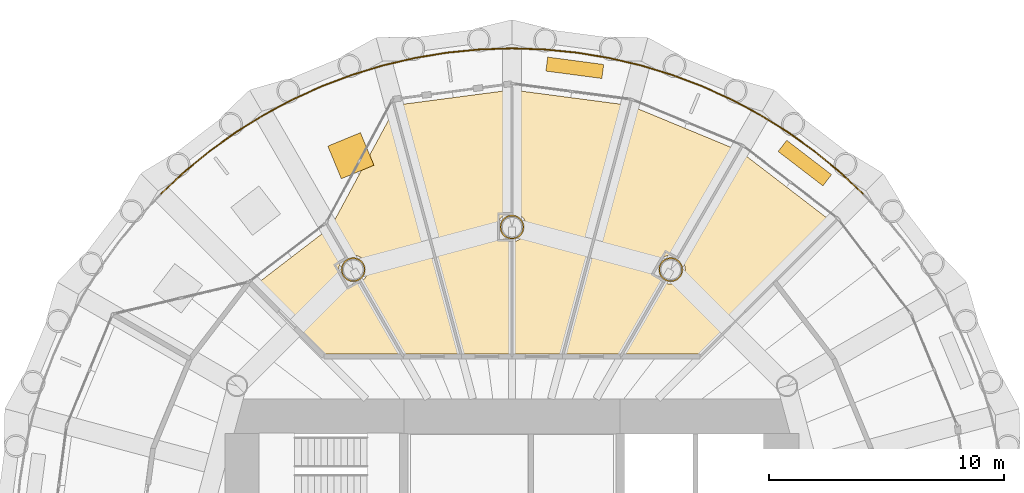
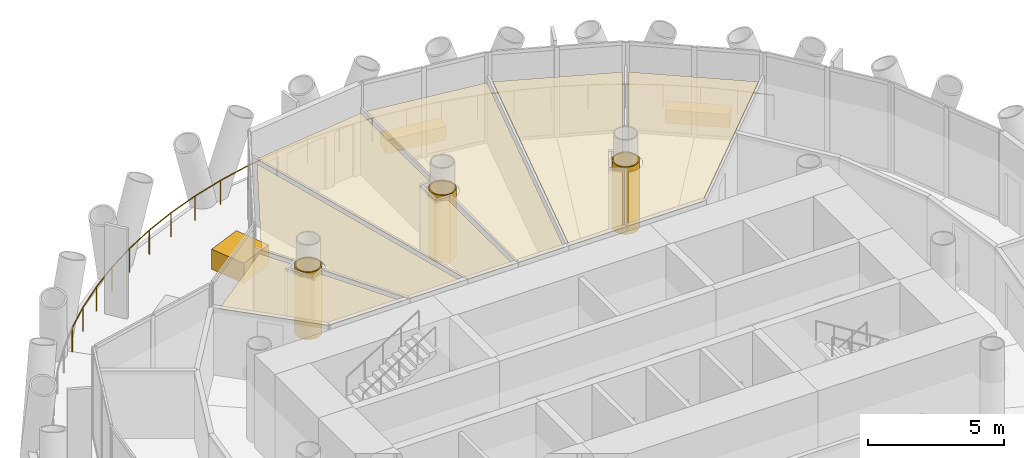
# One storey, part 14 of 14: 12 coverings, 1 railing.
"""IFC4 building model written with IfcOpenShell, lengths in metres."""

import ifcopenshell
import ifcopenshell.guid

model = None  # the IFC model being written
_history = None  # IfcOwnerHistory: only IFC2X3 demands one
_inside = {}  # id of a spatial element -> (the spatial element, [elements in it])
_under = {}  # id of a project, library or spatial element -> (it, [spatial elements below it])
_declared = {}  # id of a project -> (the project, [libraries it declares])
_typed = {}  # id of a type object -> (the type object, [elements of that type])
_made_of = {}  # id of a material, layer set ... -> (it, [elements and type objects made of it])


def new_model(schema):
    """Start an empty IFC model of exactly this schema.

    Asked for "IFC4X3", IfcOpenShell would pick the latest addendum, in which some entities
    have other attributes; the version numbers below select the first issue.
    IFC2X3 requires an IfcOwnerHistory on every rooted entity: one is made here for all.
    """
    global model, _history
    if schema == "IFC4X3":
        model = ifcopenshell.file(schema_version=(4, 3, 0, 0))
    else:
        model = ifcopenshell.file(schema=schema)
    _inside.clear()
    _under.clear()
    _declared.clear()
    _typed.clear()
    _made_of.clear()
    _history = None
    if model.schema == "IFC2X3":
        org = make("IfcOrganization", Name="unknown")
        user = make(
            "IfcPersonAndOrganization",
            ThePerson=make("IfcPerson", FamilyName="unknown"),
            TheOrganization=org,
        )
        app = make(
            "IfcApplication",
            ApplicationDeveloper=org,
            Version="unknown",
            ApplicationFullName="unknown",
            ApplicationIdentifier="unknown",
        )
        _history = make(
            "IfcOwnerHistory",
            OwningUser=user,
            OwningApplication=app,
            ChangeAction="ADDED",
            CreationDate=0,
        )
    return model


def make(cls, **values):
    """One entity of the class cls with the attributes given. An attribute that is None is left unset."""
    return model.create_entity(
        cls, **{name: value for name, value in values.items() if value is not None}
    )


def rooted(cls, **values):
    """An entity with a GlobalId (a new one), such as an element, a storey or a relation."""
    return make(cls, GlobalId=ifcopenshell.guid.new(), OwnerHistory=_history, **values)


def si_unit(unit_type, name, prefix=None):
    """IfcSIUnit, for example si_unit("LENGTHUNIT", "METRE", prefix="MILLI")."""
    return make("IfcSIUnit", UnitType=unit_type, Prefix=prefix, Name=name)


def assignment(units):
    """IfcUnitAssignment: the units of a project."""
    return None if units is None else make("IfcUnitAssignment", Units=units)


def point(xyz):
    """IfcCartesianPoint."""
    return None if xyz is None else make("IfcCartesianPoint", Coordinates=xyz)


def direction(xyz):
    """IfcDirection."""
    return None if xyz is None else make("IfcDirection", DirectionRatios=xyz)


def frame(location, z_axis=None, x_axis=None):
    """IfcAxis2Placement3D, a coordinate frame: its origin and axes. An axis left out is left unset."""
    return make(
        "IfcAxis2Placement3D",
        Location=point(location),
        Axis=direction(z_axis),
        RefDirection=direction(x_axis),
    )


def frame_2d(location, x_axis=None):
    """IfcAxis2Placement2D, a coordinate frame in the plane: its origin and x axis."""
    return make(
        "IfcAxis2Placement2D", Location=point(location), RefDirection=direction(x_axis)
    )


def origin():
    """The frame at (0, 0, 0) with its axes left unset."""
    return frame((0.0, 0.0, 0.0))


def origin_2d():
    """The frame at (0, 0) in the plane with its x axis left unset."""
    return frame_2d((0.0, 0.0))


def place(relative_to, where):
    """IfcLocalPlacement: puts the frame where relative to a parent placement (None: the world)."""
    return make(
        "IfcLocalPlacement", PlacementRelTo=relative_to, RelativePlacement=where
    )


def context(
    kind, dimensions, precision=None, world=None, true_north=None, identifier=None
):
    """IfcGeometricRepresentationContext, for example the 3D "Model" context."""
    return make(
        "IfcGeometricRepresentationContext",
        ContextIdentifier=identifier,
        ContextType=kind,
        CoordinateSpaceDimension=dimensions,
        Precision=precision,
        WorldCoordinateSystem=world,
        TrueNorth=true_north,
    )


def subcontext(parent, identifier, kind, view, scale=None):
    """IfcGeometricRepresentationSubContext, for example "Body" below "Model"."""
    return make(
        "IfcGeometricRepresentationSubContext",
        ContextIdentifier=identifier,
        ContextType=kind,
        ParentContext=parent,
        TargetScale=scale,
        TargetView=view,
    )


def project(units=None, contexts=None):
    """IfcProject with its units and contexts."""
    return rooted(
        "IfcProject",
        Name="project",
        RepresentationContexts=contexts,
        UnitsInContext=assignment(units),
    )


def spatial(cls, under=None, at=None, **own):
    """A site, building, storey or space (cls), placed at a placement, below another one or the project."""
    s = rooted(cls, ObjectPlacement=at, **own)
    if under is not None:
        _under.setdefault(under.id(), (under, []))[1].append(s)
    return s


def polyline(points):
    """IfcPolyline through the points."""
    return make("IfcPolyline", Points=[point(p) for p in points])


def profile(cls, at=None, kind="AREA", **sizes):
    """A parametric profile (cls). Its sizes go by their IFC names, for example OverallWidth=200.0."""
    return make(cls, ProfileType=kind, Position=at, **sizes)


def rectangle(**sizes):
    """IfcRectangleProfileDef."""
    return profile("IfcRectangleProfileDef", **sizes)


def circle(**sizes):
    """IfcCircleProfileDef."""
    return profile("IfcCircleProfileDef", **sizes)


def outline(outer, holes=None, kind="AREA"):
    """IfcArbitraryClosedProfileDef: a profile drawn as a closed curve; with holes, ...WithVoids."""
    if holes is None:
        return make("IfcArbitraryClosedProfileDef", ProfileType=kind, OuterCurve=outer)
    return make(
        "IfcArbitraryProfileDefWithVoids",
        ProfileType=kind,
        OuterCurve=outer,
        InnerCurves=holes,
    )


def extrude(swept, where, along, depth):
    """IfcExtrudedAreaSolid: the profile swept, set in the frame where, extruded along a direction by depth."""
    return make(
        "IfcExtrudedAreaSolid",
        SweptArea=swept,
        Position=where,
        ExtrudedDirection=direction(along),
        Depth=depth,
    )


def shape(context_of_items, identifier, shape_type, items):
    """IfcShapeRepresentation: the items that make up one representation, for example the "Body"."""
    return make(
        "IfcShapeRepresentation",
        ContextOfItems=context_of_items,
        RepresentationIdentifier=identifier,
        RepresentationType=shape_type,
        Items=items,
    )


def material(Name=None, Category=None):
    """IfcMaterial."""
    return make("IfcMaterial", Name=Name, Category=Category)


def layer(
    of_material, thickness, ventilated=None, Name=None, Category=None, Priority=None
):
    """IfcMaterialLayer: one layer of a wall or slab, of a material (None: an air gap)."""
    return make(
        "IfcMaterialLayer",
        Material=of_material,
        LayerThickness=thickness,
        IsVentilated=ventilated,
        Name=Name,
        Category=Category,
        Priority=Priority,
    )


def layer_set(layers, Name=None):
    """IfcMaterialLayerSet."""
    return make("IfcMaterialLayerSet", MaterialLayers=layers, LayerSetName=Name)


def made_of(thing, what):
    """Note that an element or type object is made of a material, layer set ...; save() writes the relation."""
    if what is not None:
        _made_of.setdefault(what.id(), (what, []))[1].append(thing)
    return thing


def type_object(cls, material=None, **own):
    """A type object (cls), such as IfcWallType, which elements share."""
    return made_of(rooted(cls, **own), material)


def element(
    cls,
    number,
    at=None,
    inside=None,
    cuts=None,
    type_object=None,
    material=None,
    context=None,
    identifier="Body",
    shape_type=None,
    held_by="IfcProductDefinitionShape",
    body=None,
    shapes=None,
    **own,
):
    """One element of the class cls, such as IfcWall. Its Tag is "e" and its number.

    at: its placement. inside: the storey or other place that contains it. cuts: it is an
    opening in that element (IfcRelVoidsElement). A single representation is given by context,
    identifier, shape_type and body (its items); several are given by shapes. held_by: the class
    of the entity that holds the representations. save() writes the other relations.
    """
    e = rooted(cls, Tag="e%d" % number, ObjectPlacement=at, **own)
    if body is not None:
        shapes = [shape(context, identifier, shape_type, body)]
    if shapes is not None:
        e.Representation = make(held_by, Representations=shapes)
    if inside is not None:
        _inside.setdefault(inside.id(), (inside, []))[1].append(e)
    if cuts is not None:
        rooted(
            "IfcRelVoidsElement", RelatingBuildingElement=cuts, RelatedOpeningElement=e
        )
    if type_object is not None:
        _typed.setdefault(type_object.id(), (type_object, []))[1].append(e)
    return made_of(e, material)


def aggregate(whole, parts):
    """IfcRelAggregates: a whole, such as a stair, and the parts it consists of."""
    return rooted("IfcRelAggregates", RelatingObject=whole, RelatedObjects=parts)


def save(model, path):
    """Write the relations noted so far, then the file.

    IfcRelAggregates (storeys below a building ...), IfcRelContainedInSpatialStructure (elements
    in a storey), IfcRelDefinesByType, IfcRelAssociatesMaterial and IfcRelDeclares: one each for
    every whole, place, type object, material and project.
    """
    for whole, parts in _under.values():
        aggregate(whole, parts)
    for where, things in _inside.values():
        rooted(
            "IfcRelContainedInSpatialStructure",
            RelatedElements=things,
            RelatingStructure=where,
        )
    for kind, things in _typed.values():
        rooted("IfcRelDefinesByType", RelatedObjects=things, RelatingType=kind)
    for what, things in _made_of.values():
        rooted("IfcRelAssociatesMaterial", RelatedObjects=things, RelatingMaterial=what)
    for by, libraries in _declared.values():
        rooted("IfcRelDeclares", RelatingContext=by, RelatedDefinitions=libraries)
    model.write(path)


model = new_model("IFC4")

# Units and contexts
model_context = context("Model", 3, precision=1e-05, world=origin(), true_north=direction((0.0, 1.0)))
body_context = subcontext(model_context, "Body", "Model", "MODEL_VIEW")
ifc_project = project(units=[si_unit("LENGTHUNIT", "METRE"), si_unit("AREAUNIT", "SQUARE_METRE"), si_unit("VOLUMEUNIT", "CUBIC_METRE"), si_unit("PLANEANGLEUNIT", "RADIAN"), si_unit("MASSUNIT", "GRAM", prefix="KILO")], contexts=[model_context])

# Site, building, storey
site_placement = place(None, origin())
site = spatial("IfcSite", under=ifc_project, at=site_placement, CompositionType="ELEMENT")
building_placement = place(site_placement, origin())
building = spatial("IfcBuilding", under=site, at=building_placement, Name="Qaws Media Tower", CompositionType="ELEMENT")
storey_placement = place(building_placement, frame((0.0, 0.0, 261.199951171875)))
storey = spatial("IfcBuildingStorey", under=building, at=storey_placement, Name="L60", CompositionType="ELEMENT", Elevation=261.199951171875)

# Railing
ifc_material_1 = material(Name="Stainless steel and glass guard", Category="steel")
railing_type = type_object("IfcRailingType", Name="Balcony guard 1100", PredefinedType="GUARDRAIL", material=ifc_material_1)
railing_placement = place(storey_placement, frame((74.919921875, 64.919921875, 0.0)))
element("IfcRailing", 1, at=railing_placement, inside=storey, type_object=railing_type, Name="GR1 balcony guard L60-1", PredefinedType="GUARDRAIL", context=body_context, shape_type="SweptSolid", body=[
    extrude(circle(Radius=0.02392578125, at=origin_2d()), frame((0.0, 0.0, 1.076171875), z_axis=(-0.72989000071, 0.683564617913, 0.0), x_axis=(-0.683564617913, -0.72989000071, 0.0)), (0.0, 0.0, 1.0), 1.380859375),
    extrude(circle(Radius=0.02392578125, at=origin_2d()), frame((-1.0078125, 0.94384765625, 1.076171875), z_axis=(-0.772939946456, 0.634479187344, 0.0), x_axis=(-0.634479187344, -0.772939946456, 0.0)), (0.0, 0.0, 1.0), 1.380615234375),
    extrude(circle(Radius=0.02392578125, at=origin_2d()), frame((-2.074951171875, 1.81982421875, 1.076171875), z_axis=(-0.812920358232, 0.582374871687, 0.0), x_axis=(-0.582374871687, -0.812920358232, 0.0)), (0.0, 0.0, 1.0), 1.380859375),
    extrude(circle(Radius=0.02392578125, at=origin_2d()), frame((-3.197509765625, 2.6240234375, 1.076171875), z_axis=(-0.849128863091, 0.528185738037, 0.0), x_axis=(-0.528185738037, -0.849128863091, 0.0)), (0.0, 0.0, 1.0), 1.380615234375),
    extrude(circle(Radius=0.02392578125, at=origin_2d()), frame((-4.369873046875, 3.353271484375, 1.076171875), z_axis=(-0.881931668673, 0.471377271187, 0.0), x_axis=(-0.471377271187, -0.881931668673, 0.0)), (0.0, 0.0, 1.0), 1.380859375),
    extrude(circle(Radius=0.02392578125, at=origin_2d()), frame((-5.587646484375, 4.004150390625, 1.076171875), z_axis=(-0.91085636213, 0.412723500138, 0.0), x_axis=(-0.412723500138, -0.91085636213, 0.0)), (0.0, 0.0, 1.0), 1.380615234375),
    extrude(circle(Radius=0.02392578125, at=origin_2d()), frame((-6.84521484375, 4.573974609375, 1.076171875), z_axis=(-0.935914328619, 0.352227723901, 0.0), x_axis=(-0.352227723901, -0.935914328619, 0.0)), (0.0, 0.0, 1.0), 1.380615234375),
    extrude(circle(Radius=0.02392578125, at=origin_2d()), frame((-8.137451171875, 5.060302734375, 1.076171875), z_axis=(-0.956926201336, 0.290331268033, 0.0), x_axis=(-0.290331268033, -0.956926201336, 0.0)), (0.0, 0.0, 1.0), 1.380859375),
    extrude(circle(Radius=0.02392578125, at=origin_2d()), frame((-9.458740234375, 5.461181640625, 1.076171875), z_axis=(-0.973888140453, 0.22702839004, 0.0), x_axis=(-0.22702839004, -0.973888140453, 0.0)), (0.0, 0.0, 1.0), 1.380859375),
    extrude(circle(Radius=0.02392578125, at=origin_2d()), frame((-10.803466796875, 5.774658203125, 1.076171875), z_axis=(-0.986650768942, 0.162850422616, 0.0), x_axis=(-0.162850422616, -0.986650768942, 0.0)), (0.0, 0.0, 1.0), 1.380615234375),
    extrude(circle(Radius=0.02392578125, at=origin_2d()), frame((-12.165771484375, 5.99951171875, 1.076171875), z_axis=(-0.995172811308, 0.098138043759, 0.0), x_axis=(-0.098138043759, -0.995172811308, 0.0)), (0.0, 0.0, 1.0), 1.380615234375),
    extrude(circle(Radius=0.02392578125, at=origin_2d()), frame((-13.539794921875, 6.135009765625, 1.076171875), z_axis=(-0.999464934663, 0.032708475661, 0.0), x_axis=(-0.032708475661, -0.999464934663, 0.0)), (0.0, 0.0, 1.0), 1.380859375),
    extrude(circle(Radius=0.02392578125, at=origin_2d()), frame((-14.919921875, 6.18017578125, 1.076171875), z_axis=(-0.999464934663, -0.032708475661, 0.0), x_axis=(0.032708475661, -0.999464934663, 0.0)), (0.0, 0.0, 1.0), 1.380859375),
    extrude(circle(Radius=0.02392578125, at=origin_2d()), frame((-16.300048828125, 6.135009765625, 1.076171875), z_axis=(-0.995172811308, -0.098138043759, 0.0), x_axis=(0.098138043759, -0.995172811308, 0.0)), (0.0, 0.0, 1.0), 1.380615234375),
    extrude(circle(Radius=0.02392578125, at=origin_2d()), frame((-17.674072265625, 5.99951171875, 1.076171875), z_axis=(-0.986650768942, -0.162850422616, 0.0), x_axis=(0.162850422616, -0.986650768942, 0.0)), (0.0, 0.0, 1.0), 1.380615234375),
    extrude(circle(Radius=0.02392578125, at=origin_2d()), frame((-19.036376953125, 5.774658203125, 1.076171875), z_axis=(-0.973888140453, -0.22702839004, 0.0), x_axis=(0.22702839004, -0.973888140453, 0.0)), (0.0, 0.0, 1.0), 1.380859375),
    extrude(circle(Radius=0.02392578125, at=origin_2d()), frame((-20.381103515625, 5.461181640625, 1.076171875), z_axis=(-0.956926201336, -0.290331268033, 0.0), x_axis=(0.290331268033, -0.956926201336, 0.0)), (0.0, 0.0, 1.0), 1.380859375),
    extrude(circle(Radius=0.02392578125, at=origin_2d()), frame((-21.702392578125, 5.060302734375, 1.076171875), z_axis=(-0.935914328619, -0.352227723901, 0.0), x_axis=(0.352227723901, -0.935914328619, 0.0)), (0.0, 0.0, 1.0), 1.380615234375),
    extrude(circle(Radius=0.02392578125, at=origin_2d()), frame((-22.99462890625, 4.573974609375, 1.076171875), z_axis=(-0.91085636213, -0.412723500138, 0.0), x_axis=(0.412723500138, -0.91085636213, 0.0)), (0.0, 0.0, 1.0), 1.380615234375),
    extrude(circle(Radius=0.02392578125, at=origin_2d()), frame((-24.252197265625, 4.004150390625, 1.076171875), z_axis=(-0.881931668673, -0.471377271187, 0.0), x_axis=(0.471377271187, -0.881931668673, 0.0)), (0.0, 0.0, 1.0), 1.380859375),
    extrude(circle(Radius=0.02392578125, at=origin_2d()), frame((-25.469970703125, 3.353271484375, 1.076171875), z_axis=(-0.849128863091, -0.528185738037, 0.0), x_axis=(0.528185738037, -0.849128863091, 0.0)), (0.0, 0.0, 1.0), 1.380615234375),
    extrude(circle(Radius=0.02392578125, at=origin_2d()), frame((-26.642333984375, 2.6240234375, 1.076171875), z_axis=(-0.812920358232, -0.582374871687, 0.0), x_axis=(0.582374871687, -0.812920358232, 0.0)), (0.0, 0.0, 1.0), 1.380859375),
    extrude(circle(Radius=0.02392578125, at=origin_2d()), frame((-27.764892578125, 1.81982421875, 1.076171875), z_axis=(-0.772939946456, -0.634479187344, 0.0), x_axis=(0.634479187344, -0.772939946456, 0.0)), (0.0, 0.0, 1.0), 1.380615234375),
    extrude(circle(Radius=0.02392578125, at=origin_2d()), frame((-28.83203125, 0.94384765625, 1.076171875), z_axis=(-0.72989000071, -0.683564617913, 0.0), x_axis=(0.683564617913, -0.72989000071, 0.0)), (0.0, 0.0, 1.0), 1.380859375),
    extrude(circle(Radius=0.02099609375, at=origin_2d()), origin(), (0.0, 0.0, 1.0), 1.052001953125),
    extrude(circle(Radius=0.02099609375, at=origin_2d()), frame((-1.0078125, 0.94384765625, 0.0)), (0.0, 0.0, 1.0), 1.052001953125),
    extrude(circle(Radius=0.02099609375, at=origin_2d()), frame((-2.074951171875, 1.81982421875, 0.0)), (0.0, 0.0, 1.0), 1.052001953125),
    extrude(circle(Radius=0.02099609375, at=origin_2d()), frame((-3.197509765625, 2.6240234375, 0.0)), (0.0, 0.0, 1.0), 1.052001953125),
    extrude(circle(Radius=0.02099609375, at=origin_2d()), frame((-4.369873046875, 3.353271484375, 0.0)), (0.0, 0.0, 1.0), 1.052001953125),
    extrude(circle(Radius=0.02099609375, at=origin_2d()), frame((-5.587646484375, 4.004150390625, 0.0)), (0.0, 0.0, 1.0), 1.052001953125),
    extrude(circle(Radius=0.02099609375, at=origin_2d()), frame((-6.84521484375, 4.573974609375, 0.0)), (0.0, 0.0, 1.0), 1.052001953125),
    extrude(circle(Radius=0.02099609375, at=origin_2d()), frame((-8.137451171875, 5.060302734375, 0.0)), (0.0, 0.0, 1.0), 1.052001953125),
    extrude(circle(Radius=0.02099609375, at=origin_2d()), frame((-9.458740234375, 5.461181640625, 0.0)), (0.0, 0.0, 1.0), 1.052001953125),
    extrude(circle(Radius=0.02099609375, at=origin_2d()), frame((-10.803466796875, 5.774658203125, 0.0)), (0.0, 0.0, 1.0), 1.052001953125),
    extrude(circle(Radius=0.02099609375, at=origin_2d()), frame((-12.165771484375, 5.99951171875, 0.0)), (0.0, 0.0, 1.0), 1.052001953125),
    extrude(circle(Radius=0.02099609375, at=origin_2d()), frame((-13.539794921875, 6.135009765625, 0.0)), (0.0, 0.0, 1.0), 1.052001953125),
    extrude(circle(Radius=0.02099609375, at=origin_2d()), frame((-14.919921875, 6.18017578125, 0.0)), (0.0, 0.0, 1.0), 1.052001953125),
    extrude(circle(Radius=0.02099609375, at=origin_2d()), frame((-16.300048828125, 6.135009765625, 0.0)), (0.0, 0.0, 1.0), 1.052001953125),
    extrude(circle(Radius=0.02099609375, at=origin_2d()), frame((-17.674072265625, 5.99951171875, 0.0)), (0.0, 0.0, 1.0), 1.052001953125),
    extrude(circle(Radius=0.02099609375, at=origin_2d()), frame((-19.036376953125, 5.774658203125, 0.0)), (0.0, 0.0, 1.0), 1.052001953125),
    extrude(circle(Radius=0.02099609375, at=origin_2d()), frame((-20.381103515625, 5.461181640625, 0.0)), (0.0, 0.0, 1.0), 1.052001953125),
    extrude(circle(Radius=0.02099609375, at=origin_2d()), frame((-21.702392578125, 5.060302734375, 0.0)), (0.0, 0.0, 1.0), 1.052001953125),
    extrude(circle(Radius=0.02099609375, at=origin_2d()), frame((-22.99462890625, 4.573974609375, 0.0)), (0.0, 0.0, 1.0), 1.052001953125),
    extrude(circle(Radius=0.02099609375, at=origin_2d()), frame((-24.252197265625, 4.004150390625, 0.0)), (0.0, 0.0, 1.0), 1.052001953125),
    extrude(circle(Radius=0.02099609375, at=origin_2d()), frame((-25.469970703125, 3.353271484375, 0.0)), (0.0, 0.0, 1.0), 1.052001953125),
    extrude(circle(Radius=0.02099609375, at=origin_2d()), frame((-26.642333984375, 2.6240234375, 0.0)), (0.0, 0.0, 1.0), 1.052001953125),
    extrude(circle(Radius=0.02099609375, at=origin_2d()), frame((-27.764892578125, 1.81982421875, 0.0)), (0.0, 0.0, 1.0), 1.052001953125),
    extrude(circle(Radius=0.02099609375, at=origin_2d()), frame((-28.83203125, 0.94384765625, 0.0)), (0.0, 0.0, 1.0), 1.052001953125),
    extrude(circle(Radius=0.02099609375, at=origin_2d()), frame((-29.83984375, 0.0, 0.0)), (0.0, 0.0, 1.0), 1.052001953125),
])

# Coverings
ifc_material_2 = material(Name="Two layers 15 fire-rated gypsum board on steel framing", Category="steel")
ifc_layer_1 = layer(ifc_material_2, 0.050048828125)
ifc_layer_set_1 = layer_set([ifc_layer_1], Name="Column fire casing")
covering_type_1 = type_object("IfcCoveringType", Name="Column fire casing", PredefinedType="CLADDING", material=ifc_layer_set_1)
covering_1_placement = place(storey_placement, origin())
element("IfcCovering", 2, at=covering_1_placement, inside=storey, type_object=covering_type_1, Name="CC1 column casing L60", PredefinedType="CLADDING", context=body_context, shape_type="SweptSolid", body=[
    extrude(outline(polyline([(67.261962890625, 61.69140625), (67.257568359375, 61.62451171875), (67.24462890625, 61.558837890625), (67.222900390625, 61.495361328125), (67.193359375, 61.435302734375), (67.15625, 61.379638671875), (67.112060546875, 61.329345703125), (67.061767578125, 61.28515625), (67.006103515625, 61.247802734375), (66.94580078125, 61.21826171875), (66.882568359375, 61.19677734375), (66.81689453125, 61.18359375), (66.75, 61.17919921875), (66.68310546875, 61.18359375), (66.617431640625, 61.19677734375), (66.55419921875, 61.21826171875), (66.493896484375, 61.247802734375), (66.438232421875, 61.28515625), (66.387939453125, 61.329345703125), (66.34375, 61.379638671875), (66.306640625, 61.435302734375), (66.277099609375, 61.495361328125), (66.25537109375, 61.558837890625), (66.242431640625, 61.62451171875), (66.238037109375, 61.69140625), (66.242431640625, 61.75830078125), (66.25537109375, 61.823974609375), (66.277099609375, 61.88720703125), (66.306640625, 61.947265625), (66.34375, 62.0029296875), (66.387939453125, 62.053466796875), (66.438232421875, 62.097412109375), (66.493896484375, 62.134765625), (66.55419921875, 62.164306640625), (66.617431640625, 62.185791015625), (66.68310546875, 62.198974609375), (66.75, 62.203369140625), (66.81689453125, 62.198974609375), (66.882568359375, 62.185791015625), (66.94580078125, 62.164306640625), (67.006103515625, 62.134765625), (67.061767578125, 62.097412109375), (67.112060546875, 62.053466796875), (67.15625, 62.0029296875), (67.193359375, 61.947265625), (67.222900390625, 61.88720703125), (67.24462890625, 61.823974609375), (67.257568359375, 61.75830078125), (67.261962890625, 61.69140625)]), holes=[polyline([(67.2099609375, 61.69140625), (67.2060546875, 61.63134765625), (67.1943359375, 61.572265625), (67.175048828125, 61.515380859375), (67.1484375, 61.461181640625), (67.114990234375, 61.411376953125), (67.0751953125, 61.3662109375), (67.030029296875, 61.326416015625), (66.97998046875, 61.29296875), (66.926025390625, 61.266357421875), (66.869140625, 61.2470703125), (66.81005859375, 61.2353515625), (66.75, 61.231201171875), (66.68994140625, 61.2353515625), (66.630859375, 61.2470703125), (66.573974609375, 61.266357421875), (66.52001953125, 61.29296875), (66.469970703125, 61.326416015625), (66.4248046875, 61.3662109375), (66.385009765625, 61.411376953125), (66.3515625, 61.461181640625), (66.324951171875, 61.515380859375), (66.3056640625, 61.572265625), (66.2939453125, 61.63134765625), (66.2900390625, 61.69140625), (66.2939453125, 61.75146484375), (66.3056640625, 61.810302734375), (66.324951171875, 61.867431640625), (66.3515625, 61.92138671875), (66.385009765625, 61.971435546875), (66.4248046875, 62.0166015625), (66.469970703125, 62.056396484375), (66.52001953125, 62.089599609375), (66.573974609375, 62.1162109375), (66.630859375, 62.1357421875), (66.68994140625, 62.1474609375), (66.75, 62.1513671875), (66.81005859375, 62.1474609375), (66.869140625, 62.1357421875), (66.926025390625, 62.1162109375), (66.97998046875, 62.089599609375), (67.030029296875, 62.056396484375), (67.0751953125, 62.0166015625), (67.114990234375, 61.971435546875), (67.1484375, 61.92138671875), (67.175048828125, 61.867431640625), (67.1943359375, 61.810302734375), (67.2060546875, 61.75146484375), (67.2099609375, 61.69140625)])]), origin(), (0.0, 0.0, 1.0), 3.02001953125),
])
covering_2_placement = place(storey_placement, origin())
element("IfcCovering", 3, at=covering_2_placement, inside=storey, type_object=covering_type_1, Name="CC1 column casing L60", PredefinedType="CLADDING", context=body_context, shape_type="SweptSolid", body=[
    extrude(outline(polyline([(60.511962890625, 63.5), (60.507568359375, 63.43310546875), (60.49462890625, 63.367431640625), (60.472900390625, 63.30419921875), (60.443359375, 63.243896484375), (60.40625, 63.188232421875), (60.362060546875, 63.137939453125), (60.311767578125, 63.09375), (60.256103515625, 63.056640625), (60.19580078125, 63.027099609375), (60.132568359375, 63.00537109375), (60.06689453125, 62.992431640625), (60.0, 62.988037109375), (59.93310546875, 62.992431640625), (59.867431640625, 63.00537109375), (59.80419921875, 63.027099609375), (59.743896484375, 63.056640625), (59.688232421875, 63.09375), (59.637939453125, 63.137939453125), (59.59375, 63.188232421875), (59.556640625, 63.243896484375), (59.527099609375, 63.30419921875), (59.50537109375, 63.367431640625), (59.492431640625, 63.43310546875), (59.488037109375, 63.5), (59.492431640625, 63.56689453125), (59.50537109375, 63.632568359375), (59.527099609375, 63.69580078125), (59.556640625, 63.756103515625), (59.59375, 63.811767578125), (59.637939453125, 63.862060546875), (59.688232421875, 63.90625), (59.743896484375, 63.943359375), (59.80419921875, 63.972900390625), (59.867431640625, 63.99462890625), (59.93310546875, 64.007568359375), (60.0, 64.011962890625), (60.06689453125, 64.007568359375), (60.132568359375, 63.99462890625), (60.19580078125, 63.972900390625), (60.256103515625, 63.943359375), (60.311767578125, 63.90625), (60.362060546875, 63.862060546875), (60.40625, 63.811767578125), (60.443359375, 63.756103515625), (60.472900390625, 63.69580078125), (60.49462890625, 63.632568359375), (60.507568359375, 63.56689453125), (60.511962890625, 63.5)]), holes=[polyline([(60.4599609375, 63.5), (60.4560546875, 63.43994140625), (60.4443359375, 63.380859375), (60.425048828125, 63.323974609375), (60.3984375, 63.27001953125), (60.364990234375, 63.219970703125), (60.3251953125, 63.1748046875), (60.280029296875, 63.135009765625), (60.22998046875, 63.1015625), (60.176025390625, 63.074951171875), (60.119140625, 63.0556640625), (60.06005859375, 63.0439453125), (60.0, 63.0400390625), (59.93994140625, 63.0439453125), (59.880859375, 63.0556640625), (59.823974609375, 63.074951171875), (59.77001953125, 63.1015625), (59.719970703125, 63.135009765625), (59.6748046875, 63.1748046875), (59.635009765625, 63.219970703125), (59.6015625, 63.27001953125), (59.574951171875, 63.323974609375), (59.5556640625, 63.380859375), (59.5439453125, 63.43994140625), (59.5400390625, 63.5), (59.5439453125, 63.56005859375), (59.5556640625, 63.619140625), (59.574951171875, 63.676025390625), (59.6015625, 63.72998046875), (59.635009765625, 63.780029296875), (59.6748046875, 63.8251953125), (59.719970703125, 63.864990234375), (59.77001953125, 63.8984375), (59.823974609375, 63.925048828125), (59.880859375, 63.9443359375), (59.93994140625, 63.9560546875), (60.0, 63.9599609375), (60.06005859375, 63.9560546875), (60.119140625, 63.9443359375), (60.176025390625, 63.925048828125), (60.22998046875, 63.8984375), (60.280029296875, 63.864990234375), (60.3251953125, 63.8251953125), (60.364990234375, 63.780029296875), (60.3984375, 63.72998046875), (60.425048828125, 63.676025390625), (60.4443359375, 63.619140625), (60.4560546875, 63.56005859375), (60.4599609375, 63.5)])]), origin(), (0.0, 0.0, 1.0), 3.02001953125),
])
covering_3_placement = place(storey_placement, origin())
element("IfcCovering", 4, at=covering_3_placement, inside=storey, type_object=covering_type_1, Name="CC1 column casing L60", PredefinedType="CLADDING", context=body_context, shape_type="SweptSolid", body=[
    extrude(outline(polyline([(53.761962890625, 61.69140625), (53.757568359375, 61.62451171875), (53.74462890625, 61.558837890625), (53.722900390625, 61.495361328125), (53.693359375, 61.435302734375), (53.65625, 61.379638671875), (53.612060546875, 61.329345703125), (53.561767578125, 61.28515625), (53.506103515625, 61.247802734375), (53.44580078125, 61.21826171875), (53.382568359375, 61.19677734375), (53.31689453125, 61.18359375), (53.25, 61.17919921875), (53.18310546875, 61.18359375), (53.117431640625, 61.19677734375), (53.05419921875, 61.21826171875), (52.993896484375, 61.247802734375), (52.938232421875, 61.28515625), (52.887939453125, 61.329345703125), (52.84375, 61.379638671875), (52.806640625, 61.435302734375), (52.777099609375, 61.495361328125), (52.75537109375, 61.558837890625), (52.742431640625, 61.62451171875), (52.738037109375, 61.69140625), (52.742431640625, 61.75830078125), (52.75537109375, 61.823974609375), (52.777099609375, 61.88720703125), (52.806640625, 61.947265625), (52.84375, 62.0029296875), (52.887939453125, 62.053466796875), (52.938232421875, 62.097412109375), (52.993896484375, 62.134765625), (53.05419921875, 62.164306640625), (53.117431640625, 62.185791015625), (53.18310546875, 62.198974609375), (53.25, 62.203369140625), (53.31689453125, 62.198974609375), (53.382568359375, 62.185791015625), (53.44580078125, 62.164306640625), (53.506103515625, 62.134765625), (53.561767578125, 62.097412109375), (53.612060546875, 62.053466796875), (53.65625, 62.0029296875), (53.693359375, 61.947265625), (53.722900390625, 61.88720703125), (53.74462890625, 61.823974609375), (53.757568359375, 61.75830078125), (53.761962890625, 61.69140625)]), holes=[polyline([(53.7099609375, 61.69140625), (53.7060546875, 61.63134765625), (53.6943359375, 61.572265625), (53.675048828125, 61.515380859375), (53.6484375, 61.461181640625), (53.614990234375, 61.411376953125), (53.5751953125, 61.3662109375), (53.530029296875, 61.326416015625), (53.47998046875, 61.29296875), (53.426025390625, 61.266357421875), (53.369140625, 61.2470703125), (53.31005859375, 61.2353515625), (53.25, 61.231201171875), (53.18994140625, 61.2353515625), (53.130859375, 61.2470703125), (53.073974609375, 61.266357421875), (53.02001953125, 61.29296875), (52.969970703125, 61.326416015625), (52.9248046875, 61.3662109375), (52.885009765625, 61.411376953125), (52.8515625, 61.461181640625), (52.824951171875, 61.515380859375), (52.8056640625, 61.572265625), (52.7939453125, 61.63134765625), (52.7900390625, 61.69140625), (52.7939453125, 61.75146484375), (52.8056640625, 61.810302734375), (52.824951171875, 61.867431640625), (52.8515625, 61.92138671875), (52.885009765625, 61.971435546875), (52.9248046875, 62.0166015625), (52.969970703125, 62.056396484375), (53.02001953125, 62.089599609375), (53.073974609375, 62.1162109375), (53.130859375, 62.1357421875), (53.18994140625, 62.1474609375), (53.25, 62.1513671875), (53.31005859375, 62.1474609375), (53.369140625, 62.1357421875), (53.426025390625, 62.1162109375), (53.47998046875, 62.089599609375), (53.530029296875, 62.056396484375), (53.5751953125, 62.0166015625), (53.614990234375, 61.971435546875), (53.6484375, 61.92138671875), (53.675048828125, 61.867431640625), (53.6943359375, 61.810302734375), (53.7060546875, 61.75146484375), (53.7099609375, 61.69140625)])]), origin(), (0.0, 0.0, 1.0), 3.02001953125),
])
ifc_material_3 = material(Name="Precast concrete planter with trailing planting", Category="concrete")
ifc_layer_2 = layer(ifc_material_3, 0.60009765625)
ifc_layer_set_2 = layer_set([ifc_layer_2], Name="Planter 2400x600")
covering_type_2 = type_object("IfcCoveringType", Name="Planter 2400x600", PredefinedType="USERDEFINED", material=ifc_layer_set_2)
for number, where, z_axis, x_axis, name in (
    (5, (72.44921875, 66.22412109375, 0.0), (0.0, 0.0, 1.0), (-0.793353340291, 0.608761429009, 0.0), "PL1 balcony planter L60-02"),
    (6, (62.669189453125, 70.275146484375, 0.0), (0.0, 0.0, 1.0), (-0.991444861374, 0.13052619222, 0.0), "PL1 balcony planter L60-03"),
):
    element("IfcCovering", number, at=place(storey_placement, frame(where, z_axis=z_axis, x_axis=x_axis)), inside=storey, type_object=covering_type_2, Name=name, ObjectType="PLANTER", PredefinedType="USERDEFINED", context=body_context, shape_type="SweptSolid", body=[
        extrude(rectangle(XDim=2.39990234375, YDim=0.60009765625, at=origin_2d()), origin(), (0.0, 0.0, 1.0), 0.60009765625),
    ])
ifc_material_4 = material(Name="Two layers 12.5 moisture-resistant plasterboard on suspended metal furring", Category="gypsum")
ifc_layer_3 = layer(ifc_material_4, 0.02490234375)
ifc_layer_set_3 = layer_set([ifc_layer_3], Name="Plasterboard ceiling 25")
covering_type_3 = type_object("IfcCoveringType", Name="Plasterboard ceiling 25", PredefinedType="CEILING", material=ifc_layer_set_3)
covering_4_placement = place(storey_placement, frame((0.0, 0.0, 2.85009765625)))
element("IfcCovering", 7, at=covering_4_placement, inside=storey, type_object=covering_type_3, Name="CL2 ceiling L60-03 PA office", PredefinedType="CEILING", context=body_context, shape_type="SweptSolid", body=[
    extrude(outline(polyline([(73.58203125, 63.7412109375), (67.953369140625, 58.112548828125), (64.813720703125, 58.112548828125), (66.544921875, 61.11083984375), (66.59033203125, 61.095458984375), (66.66943359375, 61.07958984375), (66.75, 61.07421875), (66.83056640625, 61.07958984375), (66.90966796875, 61.095458984375), (66.986083984375, 61.121337890625), (67.05859375, 61.156982421875), (67.12548828125, 61.201904296875), (67.186279296875, 61.255126953125), (67.239501953125, 61.315673828125), (67.2841796875, 61.3828125), (67.320068359375, 61.455078125), (67.345947265625, 61.53173828125), (67.36181640625, 61.61083984375), (67.366943359375, 61.69140625), (67.36181640625, 61.77197265625), (67.345947265625, 61.85107421875), (67.320068359375, 61.927490234375), (67.2841796875, 61.999755859375), (67.239501953125, 62.06689453125), (67.186279296875, 62.127685546875), (67.150146484375, 62.1591796875), (69.757568359375, 66.67578125), (73.58203125, 63.7412109375)])), origin(), (0.0, 0.0, 1.0), 0.02490234375),
])
covering_5_placement = place(storey_placement, frame((0.0, 0.0, 2.85009765625)))
element("IfcCovering", 8, at=covering_5_placement, inside=storey, type_object=covering_type_3, Name="CL2 ceiling L60-04 Executive office", PredefinedType="CEILING", context=body_context, shape_type="SweptSolid", body=[
    extrude(outline(polyline([(69.562744140625, 66.7880859375), (66.955322265625, 62.271728515625), (66.90966796875, 62.287353515625), (66.83056640625, 62.302978515625), (66.75, 62.308349609375), (66.66943359375, 62.302978515625), (66.59033203125, 62.287353515625), (66.513916015625, 62.261474609375), (66.44140625, 62.2255859375), (66.37451171875, 62.180908203125), (66.313720703125, 62.127685546875), (66.260498046875, 62.06689453125), (66.2158203125, 61.999755859375), (66.179931640625, 61.927490234375), (66.154052734375, 61.85107421875), (66.13818359375, 61.77197265625), (66.133056640625, 61.69140625), (66.13818359375, 61.61083984375), (66.154052734375, 61.53173828125), (66.179931640625, 61.455078125), (66.2158203125, 61.3828125), (66.260498046875, 61.315673828125), (66.313720703125, 61.255126953125), (66.349853515625, 61.223388671875), (64.553955078125, 58.112548828125), (62.290283203125, 58.112548828125), (65.109130859375, 68.633056640625), (69.562744140625, 66.7880859375)])), origin(), (0.0, 0.0, 1.0), 0.02490234375),
])
covering_6_placement = place(storey_placement, frame((0.0, 0.0, 2.85009765625)))
element("IfcCovering", 9, at=covering_6_placement, inside=storey, type_object=covering_type_3, Name="CL2 ceiling L60-05 Executive office", PredefinedType="CEILING", context=body_context, shape_type="SweptSolid", body=[
    extrude(outline(polyline([(64.891845703125, 68.691162109375), (62.057373046875, 58.112548828125), (60.112548828125, 58.112548828125), (60.112548828125, 62.89453125), (60.15966796875, 62.904052734375), (60.236083984375, 62.929931640625), (60.30859375, 62.9658203125), (60.37548828125, 63.010498046875), (60.436279296875, 63.063720703125), (60.489501953125, 63.12451171875), (60.5341796875, 63.19140625), (60.570068359375, 63.263916015625), (60.595947265625, 63.34033203125), (60.61181640625, 63.41943359375), (60.616943359375, 63.5), (60.61181640625, 63.58056640625), (60.595947265625, 63.65966796875), (60.570068359375, 63.736083984375), (60.5341796875, 63.80859375), (60.489501953125, 63.87548828125), (60.436279296875, 63.936279296875), (60.37548828125, 63.989501953125), (60.30859375, 64.0341796875), (60.236083984375, 64.070068359375), (60.15966796875, 64.095947265625), (60.112548828125, 64.10546875), (60.112548828125, 69.3203125), (64.891845703125, 68.691162109375)])), origin(), (0.0, 0.0, 1.0), 0.02490234375),
])
covering_7_placement = place(storey_placement, frame((0.0, 0.0, 2.85009765625)))
element("IfcCovering", 10, at=covering_7_placement, inside=storey, type_object=covering_type_3, Name="CL2 ceiling L60-06 Executive office", PredefinedType="CEILING", context=body_context, shape_type="SweptSolid", body=[
    extrude(outline(polyline([(59.887451171875, 69.3203125), (59.887451171875, 64.10546875), (59.84033203125, 64.095947265625), (59.763916015625, 64.070068359375), (59.69140625, 64.0341796875), (59.62451171875, 63.989501953125), (59.563720703125, 63.936279296875), (59.510498046875, 63.87548828125), (59.4658203125, 63.80859375), (59.429931640625, 63.736083984375), (59.404052734375, 63.65966796875), (59.38818359375, 63.58056640625), (59.383056640625, 63.5), (59.38818359375, 63.41943359375), (59.404052734375, 63.34033203125), (59.429931640625, 63.263916015625), (59.4658203125, 63.19140625), (59.510498046875, 63.12451171875), (59.563720703125, 63.063720703125), (59.62451171875, 63.010498046875), (59.69140625, 62.9658203125), (59.763916015625, 62.929931640625), (59.84033203125, 62.904052734375), (59.887451171875, 62.89453125), (59.887451171875, 58.112548828125), (57.942626953125, 58.112548828125), (55.108154296875, 68.691162109375), (59.887451171875, 69.3203125)])), origin(), (0.0, 0.0, 1.0), 0.02490234375),
])
covering_8_placement = place(storey_placement, frame((0.0, 0.0, 2.85009765625)))
element("IfcCovering", 11, at=covering_8_placement, inside=storey, type_object=covering_type_3, Name="CL2 ceiling L60-07 Executive office", PredefinedType="CEILING", context=body_context, shape_type="SweptSolid", body=[
    extrude(outline(polyline([(54.948486328125, 68.418212890625), (57.709716796875, 58.112548828125), (55.446044921875, 58.112548828125), (53.650146484375, 61.223388671875), (53.686279296875, 61.255126953125), (53.739501953125, 61.315673828125), (53.7841796875, 61.3828125), (53.820068359375, 61.455078125), (53.845947265625, 61.53173828125), (53.86181640625, 61.61083984375), (53.866943359375, 61.69140625), (53.86181640625, 61.77197265625), (53.845947265625, 61.85107421875), (53.820068359375, 61.927490234375), (53.7841796875, 61.999755859375), (53.739501953125, 62.06689453125), (53.686279296875, 62.127685546875), (53.62548828125, 62.180908203125), (53.55859375, 62.2255859375), (53.486083984375, 62.261474609375), (53.40966796875, 62.287353515625), (53.33056640625, 62.302978515625), (53.25, 62.308349609375), (53.16943359375, 62.302978515625), (53.09033203125, 62.287353515625), (53.044677734375, 62.271728515625), (52.31689453125, 63.532470703125), (54.948486328125, 68.418212890625)])), origin(), (0.0, 0.0, 1.0), 0.02490234375),
])
covering_9_placement = place(storey_placement, frame((0.0, 0.0, 2.85009765625)))
element("IfcCovering", 12, at=covering_9_placement, inside=storey, type_object=covering_type_3, Name="CL2 ceiling L60-08 Executive office", PredefinedType="CEILING", context=body_context, shape_type="SweptSolid", body=[
    extrude(outline(polyline([(52.849853515625, 62.159423828125), (52.813720703125, 62.127685546875), (52.760498046875, 62.06689453125), (52.7158203125, 61.999755859375), (52.679931640625, 61.927490234375), (52.654052734375, 61.85107421875), (52.63818359375, 61.77197265625), (52.633056640625, 61.69140625), (52.63818359375, 61.61083984375), (52.654052734375, 61.53173828125), (52.679931640625, 61.455078125), (52.7158203125, 61.3828125), (52.760498046875, 61.315673828125), (52.813720703125, 61.255126953125), (52.87451171875, 61.201904296875), (52.94140625, 61.156982421875), (53.013916015625, 61.121337890625), (53.09033203125, 61.095458984375), (53.16943359375, 61.07958984375), (53.25, 61.07421875), (53.33056640625, 61.07958984375), (53.40966796875, 61.095458984375), (53.455078125, 61.11083984375), (55.186279296875, 58.112548828125), (52.046630859375, 58.112548828125), (49.10498046875, 61.05419921875), (52.142333984375, 63.384765625), (52.849853515625, 62.159423828125)])), origin(), (0.0, 0.0, 1.0), 0.02490234375),
])
ifc_material_5 = material(Name="Precast concrete tree planter", Category="concrete")
ifc_layer_4 = layer(ifc_material_5, 0.89990234375)
ifc_layer_set_4 = layer_set([ifc_layer_4], Name="Tree planter 1500")
covering_type_4 = type_object("IfcCoveringType", Name="Tree planter 1500", PredefinedType="USERDEFINED", material=ifc_layer_set_4)
covering_10_placement = place(storey_placement, frame((53.14990234375, 66.537353515625, 0.0), z_axis=(0.0, 0.0, 1.0), x_axis=(-0.382683432365, 0.923879532511, 0.0)))
element("IfcCovering", 13, at=covering_10_placement, inside=storey, type_object=covering_type_4, Name="PL2 sky garden tree planter L60-1", ObjectType="PLANTER", PredefinedType="USERDEFINED", context=body_context, shape_type="SweptSolid", body=[
    extrude(rectangle(XDim=1.5, YDim=1.5, at=origin_2d()), origin(), (0.0, 0.0, 1.0), 0.89990234375),
])

save(model, "model.ifc")
